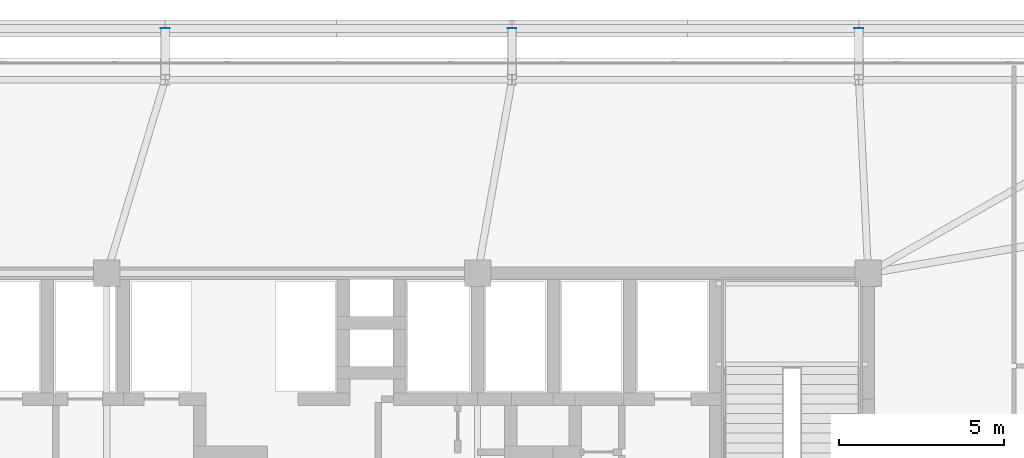
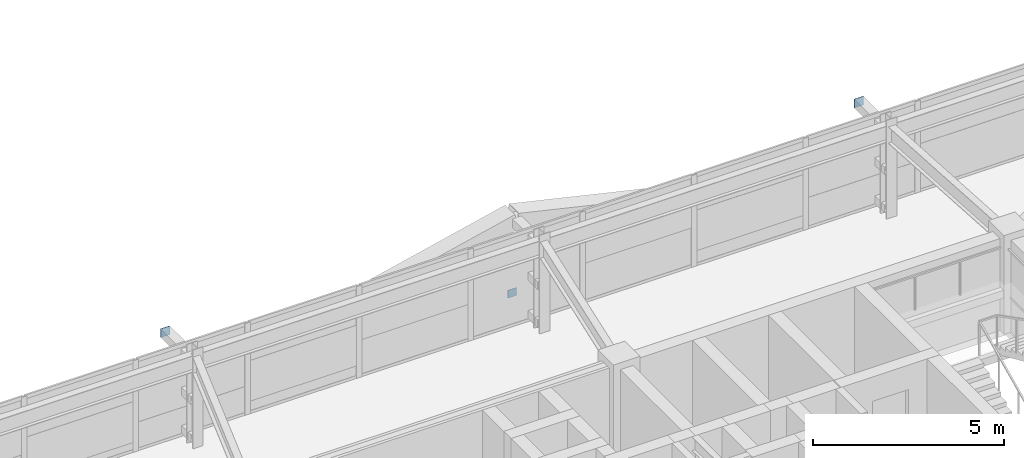
# One storey, part 50 of 59: 3 plates.
"""IFC4 building model written with IfcOpenShell, lengths in metres."""

from ifc_helpers import new_model, si_unit, direction, frame, origin, origin_2d, place, context, subcontext, project, spatial, rectangle, extrude, source, transform, mapped, material, layer, layer_set, type_object, element, save


model = new_model("IFC4")

# Units and contexts
model_context = context("Model", 3, precision=1e-05, world=origin(), true_north=direction((0.0, 1.0)))
body_context = subcontext(model_context, "Body", "Model", "MODEL_VIEW")
ifc_project = project(units=[si_unit("LENGTHUNIT", "METRE"), si_unit("AREAUNIT", "SQUARE_METRE"), si_unit("VOLUMEUNIT", "CUBIC_METRE"), si_unit("PLANEANGLEUNIT", "RADIAN"), si_unit("MASSUNIT", "GRAM", prefix="KILO")], contexts=[model_context])

# Site, building, storey
site_placement = place(None, origin())
site = spatial("IfcSite", under=ifc_project, at=site_placement, CompositionType="ELEMENT")
building_placement = place(site_placement, origin())
building = spatial("IfcBuilding", under=site, at=building_placement, Name="Taldren Reach Tower", CompositionType="ELEMENT")
storey_placement = place(building_placement, frame((0.0, 0.0, 29.39990234375)))
storey = spatial("IfcBuildingStorey", under=building, at=storey_placement, Name="L08", CompositionType="ELEMENT", Elevation=29.39990234375)

# Plates
ifc_material_1 = material(Name="Steel Gr 450 (C450L0)", Category="steel")
ifc_layer_1 = layer(ifc_material_1, 0.011962890625)
ifc_layer_set_1 = layer_set([ifc_layer_1], Name="Steel Gr 450 (C450L0)")
plate_type_1 = type_object("IfcPlateType", Name="PL-CAP-275", PredefinedType="SHEET", material=ifc_layer_set_1)
shared_shape_1 = source(origin(), body_context, "Body", "SweptSolid", [
    extrude(rectangle(XDim=0.27490234375, YDim=0.011962890625, at=origin_2d()), origin(), (0.0, 0.0, 1.0), 0.27490234375),
])
for number, where, z_axis, x_axis, name in (
    (1, (29.760009765625, 39.406005859375, 2.5126953125), (0.0, 0.0, 1.0), (1.0, 0.0, 0.0), "Tie strut end cap plate B1-N3 L08"),
    (2, (50.719970703125, 39.406005859375, 2.5126953125), (0.0, 0.0, 1.0), (1.0, 0.0, 0.0), "Tie strut end cap plate B1-N5 L08"),
):
    element("IfcPlate", number, at=place(storey_placement, frame(where, z_axis=z_axis, x_axis=x_axis)), inside=storey, type_object=plate_type_1, Name=name, PredefinedType="SHEET", context=body_context, shape_type="MappedRepresentation", body=[
        mapped(shared_shape_1, transform((0.0, 0.0, 0.0), scale=1.0)),
    ])
ifc_material_2 = material(Name="Steel Gr 350 (C350L0)", Category="steel")
ifc_layer_2 = layer(ifc_material_2, 0.011962890625)
ifc_layer_set_2 = layer_set([ifc_layer_2], Name="Steel Gr 350 (C350L0)")
plate_type_2 = type_object("IfcPlateType", Name="PL-CAP-250", PredefinedType="SHEET", material=ifc_layer_set_2)
shared_shape_2 = source(origin(), body_context, "Body", "SweptSolid", [
    extrude(rectangle(XDim=0.25, YDim=0.011962890625, at=origin_2d()), origin(), (0.0, 0.0, 1.0), 0.25),
])
plate_placement = place(storey_placement, frame((40.239990234375, 39.406005859375, 0.09521484375), z_axis=(0.0, 0.0, 1.0), x_axis=(1.0, 0.0, 0.0)))
element("IfcPlate", 3, at=plate_placement, inside=storey, type_object=plate_type_2, Name="Tie strut end cap plate B1-N4 L08", PredefinedType="SHEET", context=body_context, shape_type="MappedRepresentation", body=[
    mapped(shared_shape_2, transform((0.0, 0.0, 0.0), scale=1.0)),
])

save(model, "model.ifc")
